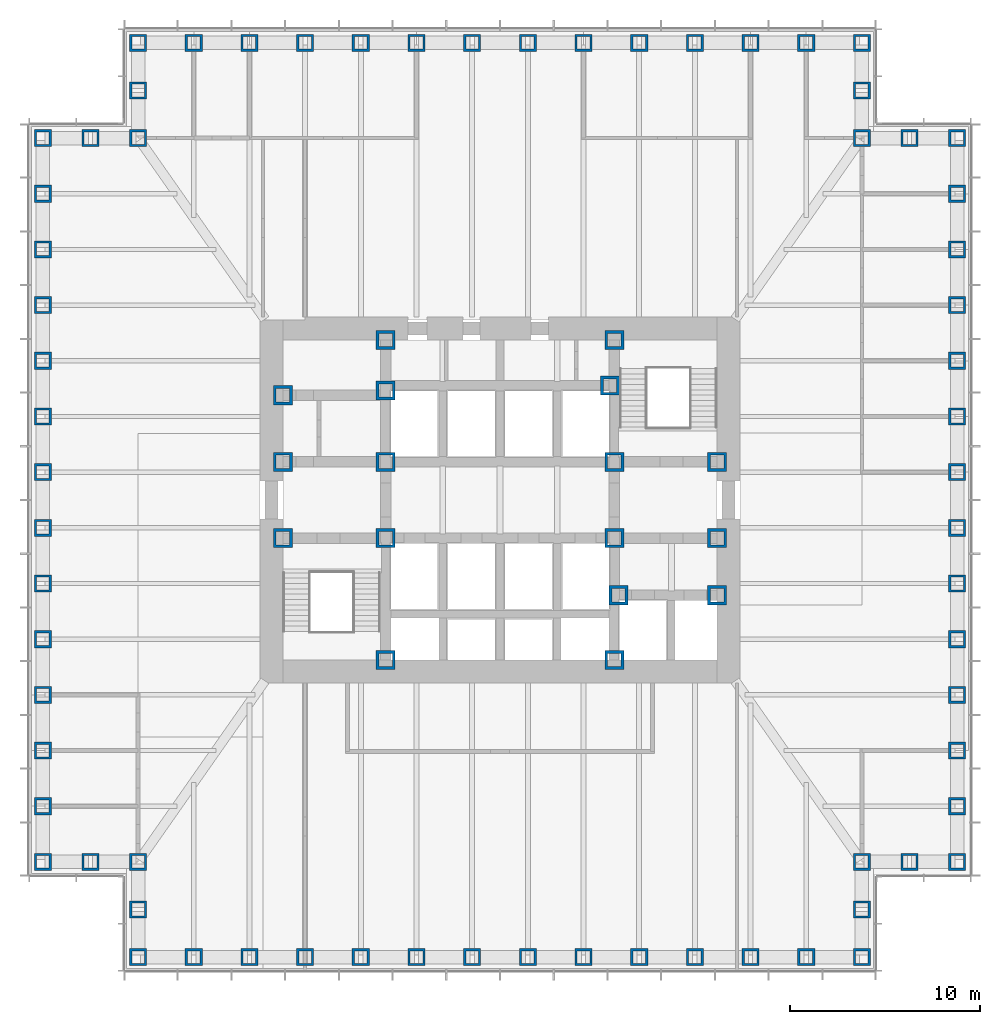
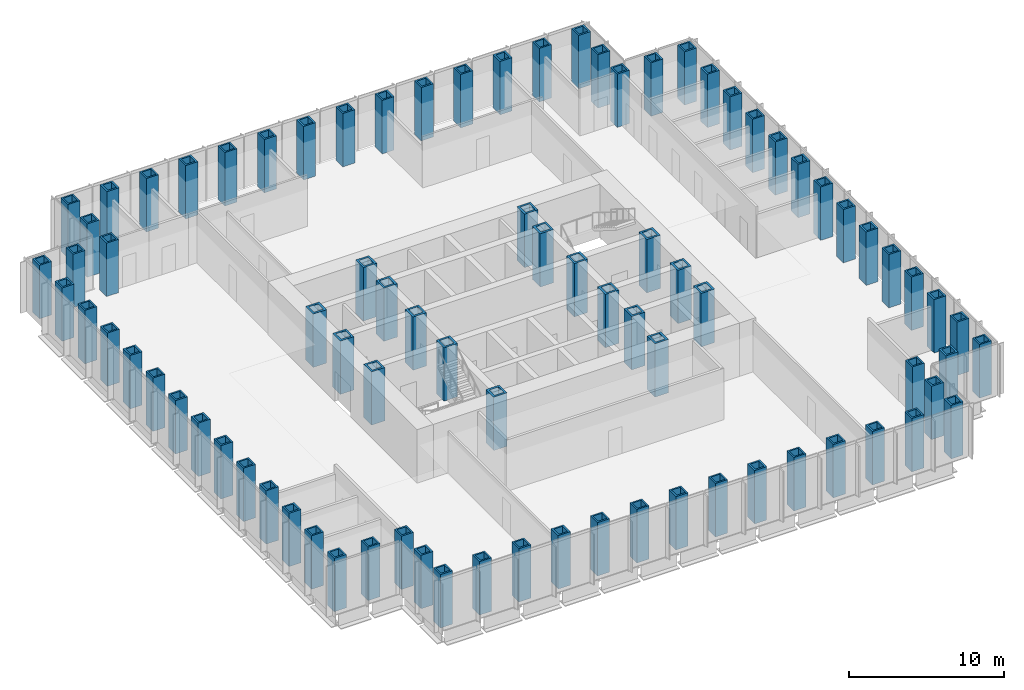
# One storey, part 1 of 17: 85 columns.
"""IFC4 building model written with IfcOpenShell, lengths in metres."""

from ifc_helpers import new_model, si_unit, direction, frame, origin, origin_2d, place, context, subcontext, project, spatial, hollow_rectangle, extrude, material, material_profile, profile_set, type_object, element, save


model = new_model("IFC4")

# Units and contexts
model_context = context("Model", 3, precision=1e-05, world=origin(), true_north=direction((0.0, 1.0)))
body_context = subcontext(model_context, "Body", "Model", "MODEL_VIEW")
ifc_project = project(units=[si_unit("LENGTHUNIT", "METRE"), si_unit("AREAUNIT", "SQUARE_METRE"), si_unit("VOLUMEUNIT", "CUBIC_METRE"), si_unit("PLANEANGLEUNIT", "RADIAN"), si_unit("MASSUNIT", "GRAM", prefix="KILO")], contexts=[model_context])

# Site, building, storey
site_placement = place(None, origin())
site = spatial("IfcSite", under=ifc_project, at=site_placement, CompositionType="ELEMENT")
building_placement = place(site_placement, origin())
building = spatial("IfcBuilding", under=site, at=building_placement, Name="Daluyong Arena Tower", CompositionType="ELEMENT")
storey_placement = place(building_placement, frame((0.0, 0.0, 55.89990234375)))
storey = spatial("IfcBuildingStorey", under=building, at=storey_placement, Name="L11", CompositionType="ELEMENT", Elevation=55.89990234375)

# Columns
ifc_material_1 = material(Name="Steel ASTM A588 Grade 50", Category="steel")
ifc_material_profile_1 = material_profile(ifc_material_1, hollow_rectangle(XDim=1.0, YDim=1.0, WallThickness=0.15, at=origin_2d()))
ifc_profile_set_1 = profile_set([ifc_material_profile_1], Name="Steel ASTM A588 Grade 50")
column_type_1 = type_object("IfcColumnType", Name="Core boundary column BX1000X150", PredefinedType="COLUMN", material=ifc_profile_set_1)
for number, where, z_axis, x_axis, name in (
    (1, (44.60009765625, 78.0, 0.0), (0.0, 0.0, 1.0), (1.0, 0.0, 0.0), "core boundary column BC1"),
    (2, (44.60009765625, 82.0, 0.0), (0.0, 0.0, 1.0), (1.0, 0.0, 0.0), "core boundary column BC1"),
    (3, (44.60009765625, 85.5, 0.0), (0.0, 0.0, 1.0), (1.0, 0.0, 0.0), "core boundary column BC1"),
    (4, (50.0, 71.60009765625, 0.0), (0.0, 0.0, 1.0), (1.0, 0.0, 0.0), "core boundary column BC1"),
    (5, (50.0, 78.0, 0.0), (0.0, 0.0, 1.0), (1.0, 0.0, 0.0), "core boundary column BC1"),
    (6, (50.0, 82.0, 0.0), (0.0, 0.0, 1.0), (1.0, 0.0, 0.0), "core boundary column BC1"),
    (7, (50.0, 85.75, 0.0), (0.0, 0.0, 1.0), (1.0, 0.0, 0.0), "core boundary column BC1"),
    (8, (50.0, 88.39990234375, 0.0), (0.0, 0.0, 1.0), (1.0, 0.0, 0.0), "core boundary column BC1"),
    (9, (61.77490234375, 86.0, 0.0), (0.0, 0.0, 1.0), (1.0, 0.0, 0.0), "core boundary column BC1"),
    (10, (62.0, 71.60009765625, 0.0), (0.0, 0.0, 1.0), (1.0, 0.0, 0.0), "core boundary column BC1"),
    (11, (62.0, 78.0, 0.0), (0.0, 0.0, 1.0), (1.0, 0.0, 0.0), "core boundary column BC1"),
    (12, (62.0, 82.0, 0.0), (0.0, 0.0, 1.0), (1.0, 0.0, 0.0), "core boundary column BC1"),
    (13, (62.0, 88.39990234375, 0.0), (0.0, 0.0, 1.0), (1.0, 0.0, 0.0), "core boundary column BC1"),
    (14, (62.22509765625, 75.0, 0.0), (0.0, 0.0, 1.0), (1.0, 0.0, 0.0), "core boundary column BC1"),
    (15, (67.39990234375, 75.0, 0.0), (0.0, 0.0, 1.0), (1.0, 0.0, 0.0), "core boundary column BC1"),
    (16, (67.39990234375, 78.0, 0.0), (0.0, 0.0, 1.0), (1.0, 0.0, 0.0), "core boundary column BC1"),
    (17, (67.39990234375, 82.0, 0.0), (0.0, 0.0, 1.0), (1.0, 0.0, 0.0), "core boundary column BC1"),
):
    element("IfcColumn", number, at=place(storey_placement, frame(where, z_axis=z_axis, x_axis=x_axis)), inside=storey, type_object=column_type_1, Name=name, PredefinedType="COLUMN", context=body_context, shape_type="SweptSolid", body=[
        extrude(hollow_rectangle(XDim=1.0, YDim=1.0, WallThickness=0.15, at=origin_2d()), origin(), (0.0, 0.0, 1.0), 4.2001953125),
    ])
ifc_material_2 = material(Name="Steel ASTM A588 Grade 50", Category="steel")
ifc_material_profile_2 = material_profile(ifc_material_2, hollow_rectangle(XDim=0.89990234375, YDim=0.89990234375, WallThickness=0.12, at=origin_2d()))
ifc_profile_set_2 = profile_set([ifc_material_profile_2], Name="Steel ASTM A588 Grade 50")
column_type_2 = type_object("IfcColumnType", Name="Tube column BX900X120 BX900X120", PredefinedType="COLUMN", material=ifc_profile_set_2)
for number, where, z_axis, x_axis, name in (
    (18, (37.0, 56.0, 0.0), (0.0, 0.0, 1.0), (1.0, 0.0, 0.0), "tube column bx900x120 TC4"),
    (19, (39.923095703125, 56.0, 0.0), (0.0, 0.0, 1.0), (1.0, 0.0, 0.0), "tube column bx900x120 TC4"),
    (20, (42.84619140625, 56.0, 0.0), (0.0, 0.0, 1.0), (1.0, 0.0, 0.0), "tube column bx900x120 TC4"),
    (21, (45.769287109375, 56.0, 0.0), (0.0, 0.0, 1.0), (1.0, 0.0, 0.0), "tube column bx900x120 TC4"),
    (22, (48.6923828125, 56.0, 0.0), (0.0, 0.0, 1.0), (1.0, 0.0, 0.0), "tube column bx900x120 TC4"),
    (23, (51.615478515625, 56.0, 0.0), (0.0, 0.0, 1.0), (1.0, 0.0, 0.0), "tube column bx900x120 TC4"),
    (24, (54.53857421875, 56.0, 0.0), (0.0, 0.0, 1.0), (1.0, 0.0, 0.0), "tube column bx900x120 TC4"),
    (25, (57.46142578125, 56.0, 0.0), (0.0, 0.0, 1.0), (1.0, 0.0, 0.0), "tube column bx900x120 TC4"),
    (26, (60.384521484375, 56.0, 0.0), (0.0, 0.0, 1.0), (1.0, 0.0, 0.0), "tube column bx900x120 TC4"),
    (27, (63.3076171875, 56.0, 0.0), (0.0, 0.0, 1.0), (1.0, 0.0, 0.0), "tube column bx900x120 TC4"),
    (28, (66.230712890625, 56.0, 0.0), (0.0, 0.0, 1.0), (1.0, 0.0, 0.0), "tube column bx900x120 TC4"),
    (29, (69.15380859375, 56.0, 0.0), (0.0, 0.0, 1.0), (1.0, 0.0, 0.0), "tube column bx900x120 TC4"),
    (30, (72.076904296875, 56.0, 0.0), (0.0, 0.0, 1.0), (1.0, 0.0, 0.0), "tube column bx900x120 TC4"),
    (31, (75.0, 56.0, 0.0), (0.0, 0.0, 1.0), (0.0, 1.0, 0.0), "tube column bx900x120 TC4"),
    (32, (75.0, 58.5, 0.0), (0.0, 0.0, 1.0), (0.0, 1.0, 0.0), "tube column bx900x120 TC4"),
    (33, (75.0, 61.0, 0.0), (0.0, 0.0, 1.0), (1.0, 0.0, 0.0), "tube column bx900x120 TC4"),
    (34, (77.5, 61.0, 0.0), (0.0, 0.0, 1.0), (1.0, 0.0, 0.0), "tube column bx900x120 TC4"),
    (35, (80.0, 61.0, 0.0), (0.0, 0.0, 1.0), (0.0, 1.0, 0.0), "tube column bx900x120 TC4"),
    (36, (80.0, 63.923095703125, 0.0), (0.0, 0.0, 1.0), (0.0, 1.0, 0.0), "tube column bx900x120 TC4"),
    (37, (80.0, 66.84619140625, 0.0), (0.0, 0.0, 1.0), (0.0, 1.0, 0.0), "tube column bx900x120 TC4"),
    (38, (80.0, 69.769287109375, 0.0), (0.0, 0.0, 1.0), (0.0, 1.0, 0.0), "tube column bx900x120 TC4"),
    (39, (80.0, 72.6923828125, 0.0), (0.0, 0.0, 1.0), (0.0, 1.0, 0.0), "tube column bx900x120 TC4"),
    (40, (80.0, 75.615478515625, 0.0), (0.0, 0.0, 1.0), (0.0, 1.0, 0.0), "tube column bx900x120 TC4"),
    (41, (80.0, 78.53857421875, 0.0), (0.0, 0.0, 1.0), (0.0, 1.0, 0.0), "tube column bx900x120 TC4"),
    (42, (80.0, 81.46142578125, 0.0), (0.0, 0.0, 1.0), (0.0, 1.0, 0.0), "tube column bx900x120 TC4"),
    (43, (80.0, 84.384521484375, 0.0), (0.0, 0.0, 1.0), (0.0, 1.0, 0.0), "tube column bx900x120 TC4"),
    (44, (80.0, 87.3076171875, 0.0), (0.0, 0.0, 1.0), (0.0, 1.0, 0.0), "tube column bx900x120 TC4"),
    (45, (80.0, 90.230712890625, 0.0), (0.0, 0.0, 1.0), (0.0, 1.0, 0.0), "tube column bx900x120 TC4"),
    (46, (80.0, 93.15380859375, 0.0), (0.0, 0.0, 1.0), (0.0, 1.0, 0.0), "tube column bx900x120 TC4"),
    (47, (80.0, 96.076904296875, 0.0), (0.0, 0.0, 1.0), (0.0, 1.0, 0.0), "tube column bx900x120 TC4"),
    (48, (80.0, 99.0, 0.0), (0.0, 0.0, 1.0), (1.0, 0.0, 0.0), "tube column bx900x120 TC4"),
    (49, (77.5, 99.0, 0.0), (0.0, 0.0, 1.0), (1.0, 0.0, 0.0), "tube column bx900x120 TC4"),
    (50, (75.0, 99.0, 0.0), (0.0, 0.0, 1.0), (0.0, 1.0, 0.0), "tube column bx900x120 TC4"),
    (51, (75.0, 101.5, 0.0), (0.0, 0.0, 1.0), (0.0, 1.0, 0.0), "tube column bx900x120 TC4"),
    (52, (75.0, 104.0, 0.0), (0.0, 0.0, 1.0), (1.0, 0.0, 0.0), "tube column bx900x120 TC4"),
    (53, (72.076904296875, 104.0, 0.0), (0.0, 0.0, 1.0), (1.0, 0.0, 0.0), "tube column bx900x120 TC4"),
    (54, (69.15380859375, 104.0, 0.0), (0.0, 0.0, 1.0), (1.0, 0.0, 0.0), "tube column bx900x120 TC4"),
    (55, (66.230712890625, 104.0, 0.0), (0.0, 0.0, 1.0), (1.0, 0.0, 0.0), "tube column bx900x120 TC4"),
    (56, (63.3076171875, 104.0, 0.0), (0.0, 0.0, 1.0), (1.0, 0.0, 0.0), "tube column bx900x120 TC4"),
    (57, (60.384521484375, 104.0, 0.0), (0.0, 0.0, 1.0), (1.0, 0.0, 0.0), "tube column bx900x120 TC4"),
    (58, (57.46142578125, 104.0, 0.0), (0.0, 0.0, 1.0), (1.0, 0.0, 0.0), "tube column bx900x120 TC4"),
    (59, (54.53857421875, 104.0, 0.0), (0.0, 0.0, 1.0), (1.0, 0.0, 0.0), "tube column bx900x120 TC4"),
    (60, (51.615478515625, 104.0, 0.0), (0.0, 0.0, 1.0), (1.0, 0.0, 0.0), "tube column bx900x120 TC4"),
    (61, (48.6923828125, 104.0, 0.0), (0.0, 0.0, 1.0), (1.0, 0.0, 0.0), "tube column bx900x120 TC4"),
    (62, (45.769287109375, 104.0, 0.0), (0.0, 0.0, 1.0), (1.0, 0.0, 0.0), "tube column bx900x120 TC4"),
    (63, (42.84619140625, 104.0, 0.0), (0.0, 0.0, 1.0), (1.0, 0.0, 0.0), "tube column bx900x120 TC4"),
    (64, (39.923095703125, 104.0, 0.0), (0.0, 0.0, 1.0), (1.0, 0.0, 0.0), "tube column bx900x120 TC4"),
    (65, (37.0, 104.0, 0.0), (0.0, 0.0, 1.0), (0.0, 1.0, 0.0), "tube column bx900x120 TC4"),
    (66, (37.0, 101.5, 0.0), (0.0, 0.0, 1.0), (0.0, 1.0, 0.0), "tube column bx900x120 TC4"),
    (67, (37.0, 99.0, 0.0), (0.0, 0.0, 1.0), (1.0, 0.0, 0.0), "tube column bx900x120 TC4"),
    (68, (34.5, 99.0, 0.0), (0.0, 0.0, 1.0), (1.0, 0.0, 0.0), "tube column bx900x120 TC4"),
    (69, (32.0, 99.0, 0.0), (0.0, 0.0, 1.0), (0.0, 1.0, 0.0), "tube column bx900x120 TC4"),
    (70, (32.0, 96.076904296875, 0.0), (0.0, 0.0, 1.0), (0.0, 1.0, 0.0), "tube column bx900x120 TC4"),
    (71, (32.0, 93.15380859375, 0.0), (0.0, 0.0, 1.0), (0.0, 1.0, 0.0), "tube column bx900x120 TC4"),
    (72, (32.0, 90.230712890625, 0.0), (0.0, 0.0, 1.0), (0.0, 1.0, 0.0), "tube column bx900x120 TC4"),
    (73, (32.0, 87.3076171875, 0.0), (0.0, 0.0, 1.0), (0.0, 1.0, 0.0), "tube column bx900x120 TC4"),
    (74, (32.0, 84.384521484375, 0.0), (0.0, 0.0, 1.0), (0.0, 1.0, 0.0), "tube column bx900x120 TC4"),
    (75, (32.0, 81.46142578125, 0.0), (0.0, 0.0, 1.0), (0.0, 1.0, 0.0), "tube column bx900x120 TC4"),
    (76, (32.0, 78.53857421875, 0.0), (0.0, 0.0, 1.0), (0.0, 1.0, 0.0), "tube column bx900x120 TC4"),
    (77, (32.0, 75.615478515625, 0.0), (0.0, 0.0, 1.0), (0.0, 1.0, 0.0), "tube column bx900x120 TC4"),
    (78, (32.0, 72.6923828125, 0.0), (0.0, 0.0, 1.0), (0.0, 1.0, 0.0), "tube column bx900x120 TC4"),
    (79, (32.0, 69.769287109375, 0.0), (0.0, 0.0, 1.0), (0.0, 1.0, 0.0), "tube column bx900x120 TC4"),
    (80, (32.0, 66.84619140625, 0.0), (0.0, 0.0, 1.0), (0.0, 1.0, 0.0), "tube column bx900x120 TC4"),
    (81, (32.0, 63.923095703125, 0.0), (0.0, 0.0, 1.0), (0.0, 1.0, 0.0), "tube column bx900x120 TC4"),
    (82, (32.0, 61.0, 0.0), (0.0, 0.0, 1.0), (1.0, 0.0, 0.0), "tube column bx900x120 TC4"),
    (83, (34.5, 61.0, 0.0), (0.0, 0.0, 1.0), (1.0, 0.0, 0.0), "tube column bx900x120 TC4"),
    (84, (37.0, 61.0, 0.0), (0.0, 0.0, 1.0), (0.0, 1.0, 0.0), "tube column bx900x120 TC4"),
    (85, (37.0, 58.5, 0.0), (0.0, 0.0, 1.0), (0.0, 1.0, 0.0), "tube column bx900x120 TC4"),
):
    element("IfcColumn", number, at=place(storey_placement, frame(where, z_axis=z_axis, x_axis=x_axis)), inside=storey, type_object=column_type_2, Name=name, PredefinedType="COLUMN", context=body_context, shape_type="SweptSolid", body=[
        extrude(hollow_rectangle(XDim=0.89990234375, YDim=0.89990234375, WallThickness=0.12, at=origin_2d()), origin(), (0.0, 0.0, 1.0), 4.2001953125),
    ])

save(model, "model.ifc")
